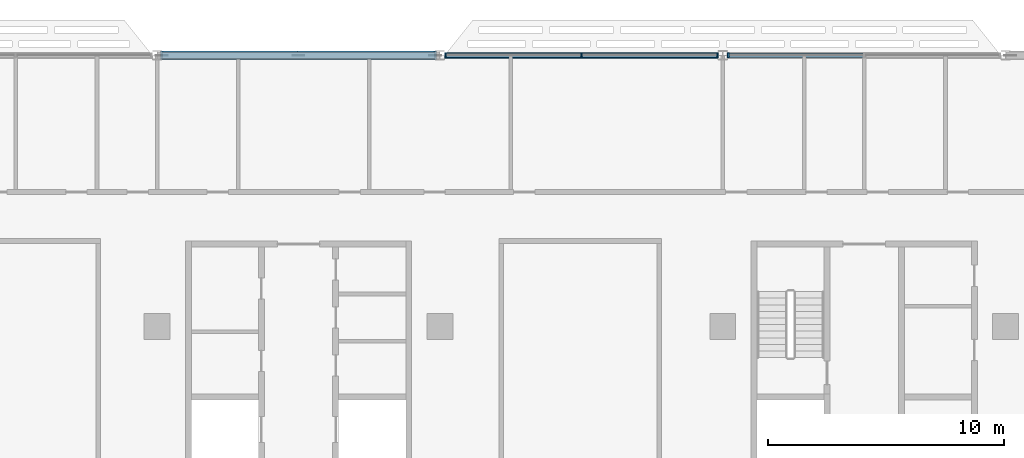
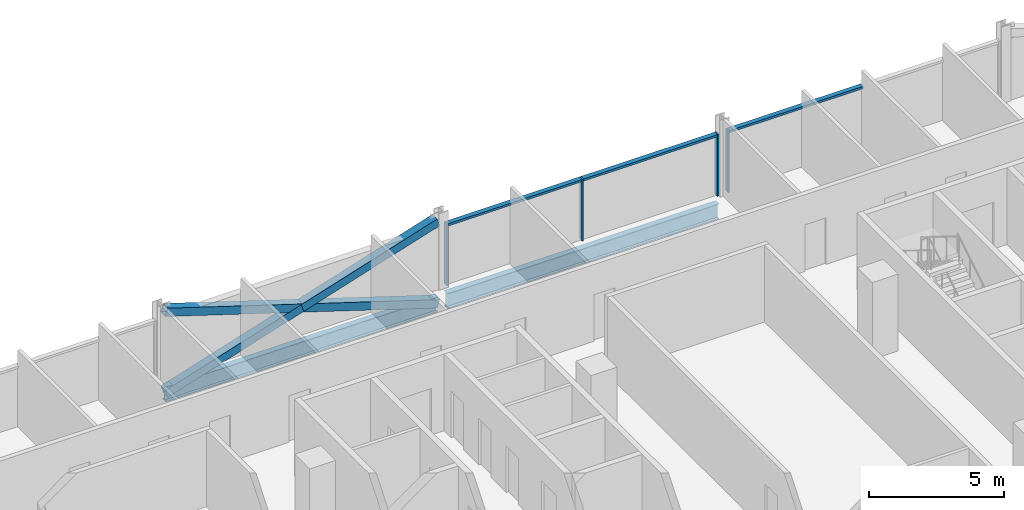
# One storey, part 8 of 30: 10 members, 2 beams, 2 elements without a shape of their own.
"""IFC4 building model written with IfcOpenShell, lengths in metres."""

from ifc_helpers import new_model, si_unit, direction, frame, origin, origin_2d, place, context, subcontext, project, spatial, rectangle, hollow_rectangle, i_section, extrude, material, material_profile, profile_set, type_object, element, aggregate, save


model = new_model("IFC4")

# Units and contexts
model_context = context("Model", 3, precision=1e-05, world=origin(), true_north=direction((0.0, 1.0)))
body_context = subcontext(model_context, "Body", "Model", "MODEL_VIEW")
ifc_project = project(units=[si_unit("LENGTHUNIT", "METRE"), si_unit("AREAUNIT", "SQUARE_METRE"), si_unit("VOLUMEUNIT", "CUBIC_METRE"), si_unit("PLANEANGLEUNIT", "RADIAN"), si_unit("MASSUNIT", "GRAM", prefix="KILO")], contexts=[model_context])

# Site, building, storey
site_placement = place(None, origin())
site = spatial("IfcSite", under=ifc_project, at=site_placement, CompositionType="ELEMENT")
building_placement = place(site_placement, origin())
building = spatial("IfcBuilding", under=site, at=building_placement, Name="Mahtab Terrace Research Tower", CompositionType="ELEMENT")
storey_placement = place(building_placement, frame((0.0, 0.0, 216.699951171875)))
storey = spatial("IfcBuildingStorey", under=building, at=storey_placement, Name="L52", CompositionType="ELEMENT", Elevation=216.699951171875)

# Members
ifc_material_1 = material(Name="Steel ASTM A500 Gr C", Category="steel")
ifc_material_profile_1 = material_profile(ifc_material_1, hollow_rectangle(XDim=0.355712890625, YDim=0.355712890625, WallThickness=0.015869140625, at=origin_2d()), Name="HSS14X14X5/8")
ifc_profile_set_1 = profile_set([ifc_material_profile_1], Name="Steel ASTM A500 Gr C")
member_type_1 = type_object("IfcMemberType", Name="HSS 14x14x5/8 brace XB141458", PredefinedType="BRACE", material=ifc_profile_set_1)
member_1_placement = place(storey_placement, frame((5.79931640625, 23.0, -0.615478515625), z_axis=(-0.953343380425, 0.0, 0.301888057067), x_axis=(0.0, -1.0, 0.0)))
element("IfcMember", 1, at=member_1_placement, inside=storey, type_object=member_type_1, Name="Exoskeleton brace L52 05 a", PredefinedType="BRACE", context=body_context, shape_type="SweptSolid", body=[
    extrude(hollow_rectangle(XDim=0.355712890625, YDim=0.355712890625, WallThickness=0.015869140625, at=origin_2d()), origin(), (0.0, 0.0, 1.0), 12.166259765625),
])
for number, where, z_axis, x_axis, name in (
    (2, (-5.79931640625, 23.0, -0.615478515625), (0.953343380425, 0.0, 0.301888057067), (0.0, 1.0, 0.0), "Exoskeleton brace L52 05 b1"),
    (3, (0.0, 23.0, 1.220947265625), (0.953343380425, 0.0, 0.301888057067), (0.0, 1.0, 0.0), "Exoskeleton brace L52 05 b2"),
):
    element("IfcMember", number, at=place(storey_placement, frame(where, z_axis=z_axis, x_axis=x_axis)), inside=storey, type_object=member_type_1, Name=name, PredefinedType="BRACE", context=body_context, shape_type="SweptSolid", body=[
        extrude(hollow_rectangle(XDim=0.355712890625, YDim=0.355712890625, WallThickness=0.015869140625, at=origin_2d()), origin(), (0.0, 0.0, 1.0), 6.083251953125),
    ])

# Curtain wall, member
ifc_material_2 = material(Name="Laboratory ribbon curtain wall")
curtain_wall_type = type_object("IfcCurtainWallType", Name="Laboratory ribbon curtain wall", PredefinedType="NOTDEFINED", material=ifc_material_2)
curtain_wall_1_placement = place(storey_placement, origin())
curtain_wall_1 = element("IfcCurtainWall", 4, at=curtain_wall_1_placement, inside=storey, type_object=curtain_wall_type, Name="EN.L52.3.5", PredefinedType="NOTDEFINED")
ifc_material_3 = material(Name="Natural anodised aluminium", Category="aluminium")
ifc_material_profile_2 = material_profile(ifc_material_3, rectangle(XDim=0.199951171875, YDim=0.06494140625, at=origin_2d()), Name="MULLION 65x200")
ifc_profile_set_2 = profile_set([ifc_material_profile_2], Name="Natural anodised aluminium")
member_type_2 = type_object("IfcMemberType", Name="Laboratory ribbon curtain wall mullion", PredefinedType="MULLION", material=ifc_profile_set_2)
member_2_placement = place(storey_placement, frame((18.232421875, 23.0, 0.0), z_axis=(0.0, 0.0, 1.0), x_axis=(0.0, -1.0, 0.0)))
member_2 = element("IfcMember", 5, at=member_2_placement, type_object=member_type_2, Name="CWL-6 mullion 3", PredefinedType="MULLION", context=body_context, shape_type="SweptSolid", body=[
    extrude(rectangle(XDim=0.199951171875, YDim=0.06494140625, at=origin_2d()), origin(), (0.0, 0.0, 1.0), 2.78173828125),
])

# Curtain wall, members
curtain_wall_2_placement = place(storey_placement, origin())
curtain_wall_2 = element("IfcCurtainWall", 6, at=curtain_wall_2_placement, inside=storey, type_object=curtain_wall_type, Name="EN.L52.3.6", PredefinedType="NOTDEFINED")
member_3_placement = place(storey_placement, frame((17.767578125, 23.0, 0.0), z_axis=(0.0, 0.0, 1.0), x_axis=(0.0, -1.0, 0.0)))
member_3 = element("IfcMember", 7, at=member_3_placement, type_object=member_type_2, Name="CWL-6 mullion 1", PredefinedType="MULLION", context=body_context, shape_type="SweptSolid", body=[
    extrude(rectangle(XDim=0.199951171875, YDim=0.06494140625, at=origin_2d()), origin(), (0.0, 0.0, 1.0), 2.78173828125),
])
member_4_placement = place(storey_placement, frame((12.0, 23.0, 0.0), z_axis=(0.0, 0.0, 1.0), x_axis=(0.0, -1.0, 0.0)))
member_4 = element("IfcMember", 8, at=member_4_placement, type_object=member_type_2, Name="CWL-6 mullion 2", PredefinedType="MULLION", context=body_context, shape_type="SweptSolid", body=[
    extrude(rectangle(XDim=0.199951171875, YDim=0.06494140625, at=origin_2d()), origin(), (0.0, 0.0, 1.0), 2.78173828125),
])
member_5_placement = place(storey_placement, frame((6.232421875, 23.0, 0.0), z_axis=(0.0, 0.0, 1.0), x_axis=(0.0, -1.0, 0.0)))
member_5 = element("IfcMember", 9, at=member_5_placement, type_object=member_type_2, Name="CWL-6 mullion 3", PredefinedType="MULLION", context=body_context, shape_type="SweptSolid", body=[
    extrude(rectangle(XDim=0.199951171875, YDim=0.06494140625, at=origin_2d()), origin(), (0.0, 0.0, 1.0), 2.78173828125),
])

# Member
ifc_material_profile_3 = material_profile(ifc_material_3, rectangle(XDim=0.199951171875, YDim=0.10009765625, at=origin_2d()), Name="TRANSOM 100x200")
ifc_profile_set_3 = profile_set([ifc_material_profile_3], Name="Natural anodised aluminium")
member_type_3 = type_object("IfcMemberType", Name="Laboratory ribbon curtain wall transom", PredefinedType="USERDEFINED", material=ifc_profile_set_3)
member_6_placement = place(storey_placement, frame((23.967529296875, 23.0, 2.73193359375), z_axis=(-1.0, 0.0, 0.0), x_axis=(0.0, -1.0, 0.0)))
member_6 = element("IfcMember", 10, at=member_6_placement, type_object=member_type_3, Name="CWL-6 transom 2", ObjectType="TRANSOM", PredefinedType="USERDEFINED", context=body_context, shape_type="SweptSolid", body=[
    extrude(rectangle(XDim=0.199951171875, YDim=0.10009765625, at=origin_2d()), origin(), (0.0, 0.0, 1.0), 5.70263671875),
])

aggregate(curtain_wall_1, [member_2, member_6])

member_7_placement = place(storey_placement, frame((17.735107421875, 23.0, 2.73193359375), z_axis=(-1.0, 0.0, 0.0), x_axis=(0.0, -1.0, 0.0)))
member_7 = element("IfcMember", 11, at=member_7_placement, type_object=member_type_3, Name="CWL-6 transom 1", ObjectType="TRANSOM", PredefinedType="USERDEFINED", context=body_context, shape_type="SweptSolid", body=[
    extrude(rectangle(XDim=0.199951171875, YDim=0.10009765625, at=origin_2d()), origin(), (0.0, 0.0, 1.0), 5.70263671875),
])

member_8_placement = place(storey_placement, frame((11.967529296875, 23.0, 2.73193359375), z_axis=(-1.0, 0.0, 0.0), x_axis=(0.0, -1.0, 0.0)))
member_8 = element("IfcMember", 12, at=member_8_placement, type_object=member_type_3, Name="CWL-6 transom 2", ObjectType="TRANSOM", PredefinedType="USERDEFINED", context=body_context, shape_type="SweptSolid", body=[
    extrude(rectangle(XDim=0.199951171875, YDim=0.10009765625, at=origin_2d()), origin(), (0.0, 0.0, 1.0), 5.70263671875),
])

aggregate(curtain_wall_2, [member_3, member_4, member_5, member_7, member_8])

# Beams
ifc_material_4 = material(Name="Steel ASTM A992 Gr 50", Category="steel")
ifc_material_profile_4 = material_profile(ifc_material_4, i_section(OverallWidth=0.25390625, OverallDepth=0.67822265625, WebThickness=0.01171875, FlangeThickness=0.016357421875, at=origin_2d()), Name="W27X84")
ifc_profile_set_4 = profile_set([ifc_material_profile_4], Name="Steel ASTM A992 Gr 50")
beam_type = type_object("IfcBeamType", Name="W27x84 beam BS2784", PredefinedType="BEAM", material=ifc_profile_set_4)
for number, where, z_axis, x_axis, name in (
    (13, (17.79931640625, 23.0, -0.678955078125), (-1.0, 0.0, 0.0), (0.0, -1.0, 0.0), "Spandrel beam L52 04"),
    (14, (5.79931640625, 23.0, -0.678955078125), (-1.0, 0.0, 0.0), (0.0, -1.0, 0.0), "Spandrel beam L52 05"),
):
    element("IfcBeam", number, at=place(storey_placement, frame(where, z_axis=z_axis, x_axis=x_axis)), inside=storey, type_object=beam_type, Name=name, PredefinedType="BEAM", context=body_context, shape_type="SweptSolid", body=[
        extrude(i_section(OverallWidth=0.25390625, OverallDepth=0.67822265625, WebThickness=0.01171875, FlangeThickness=0.016357421875, at=origin_2d()), origin(), (0.0, 0.0, 1.0), 11.5986328125),
    ])

save(model, "model.ifc")
